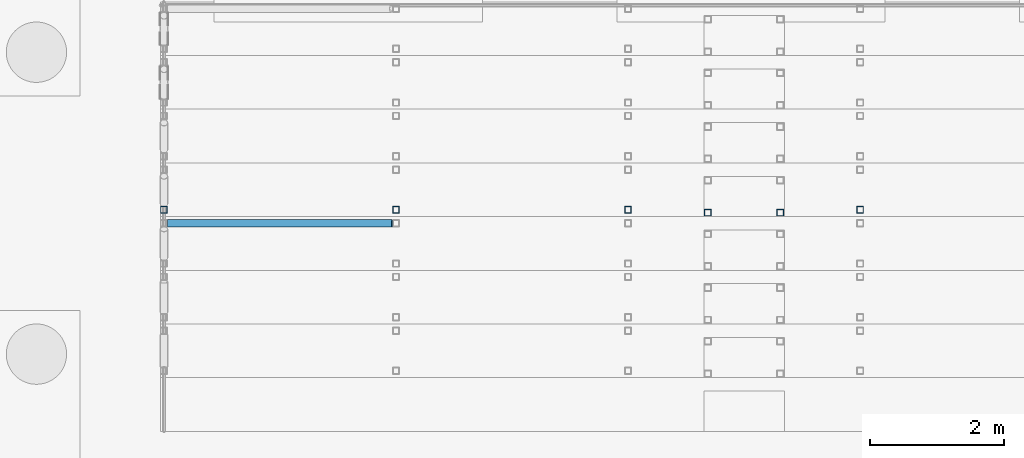
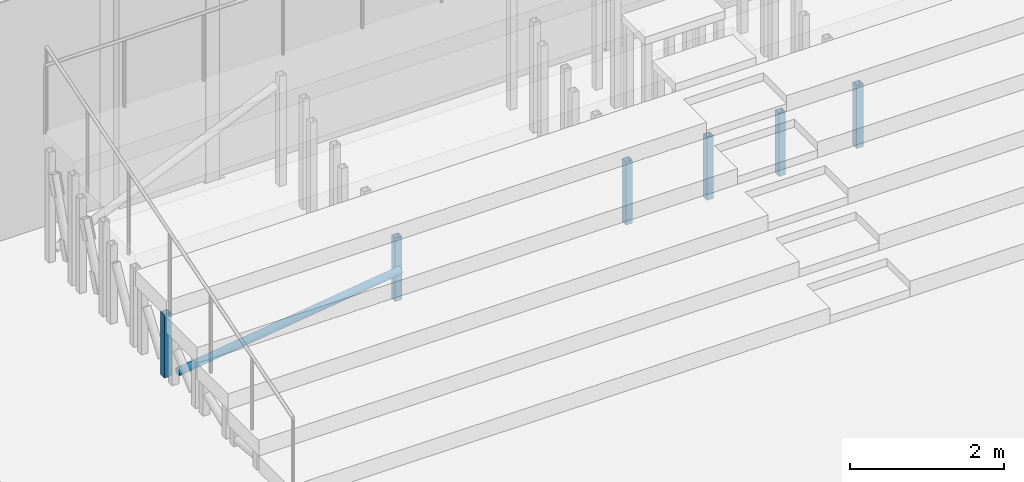
# One storey, part 42 of 139: 7 members.
"""IFC4 building model written with IfcOpenShell, lengths in metres."""

from ifc_helpers import new_model, si_unit, direction, frame, origin, origin_2d, place, context, subcontext, project, spatial, hollow_rectangle, hollow_circle, extrude, material, material_profile, profile_set, type_object, element, save


model = new_model("IFC4")

# Units and contexts
model_context = context("Model", 3, precision=1e-05, world=origin(), true_north=direction((0.0, 1.0)))
body_context = subcontext(model_context, "Body", "Model", "MODEL_VIEW")
ifc_project = project(units=[si_unit("LENGTHUNIT", "METRE"), si_unit("AREAUNIT", "SQUARE_METRE"), si_unit("VOLUMEUNIT", "CUBIC_METRE"), si_unit("PLANEANGLEUNIT", "RADIAN"), si_unit("MASSUNIT", "GRAM", prefix="KILO")], contexts=[model_context])

# Site, building, storey
site_placement = place(None, origin())
site = spatial("IfcSite", under=ifc_project, at=site_placement, CompositionType="ELEMENT")
building_placement = place(site_placement, origin())
building = spatial("IfcBuilding", under=site, at=building_placement, Name="Verrick Yard Athletic Hall", CompositionType="ELEMENT")
storey_placement = place(building_placement, origin())
storey = spatial("IfcBuildingStorey", under=building, at=storey_placement, Name="L00", CompositionType="ELEMENT", Elevation=0.0)

# Members
ifc_material = material(Name="Structural steel HSS Class C 350W (CSA G40.20/G40.21)", Category="steel")
ifc_material_profile_1 = material_profile(ifc_material, hollow_circle(Radius=0.05712890625, WallThickness=0.00634765625, at=origin_2d()), Name="HSS114x6.4")
ifc_profile_set_1 = profile_set([ifc_material_profile_1], Name="Structural steel HSS Class C 350W (CSA G40.20/G40.21)")
member_type_1 = type_object("IfcMemberType", Name="HB roof brace HSS114x6.4", PredefinedType="BRACE", material=ifc_profile_set_1)
member_placement = place(storey_placement, frame((124.9091796875, 96.89990234375, 0.151123046875), z_axis=(0.991140401, 0.0, 0.132818317656), x_axis=(0.0, 1.0, 0.0)))
element("IfcMember", 1, at=member_placement, inside=storey, type_object=member_type_1, Name="HB-BRL-RSA1-a4", PredefinedType="BRACE", context=body_context, shape_type="SweptSolid", body=[
    extrude(hollow_circle(Radius=0.05712890625, WallThickness=0.00634765625, at=origin_2d()), origin(), (0.0, 0.0, 1.0), 3.37109375),
])
ifc_material_profile_2 = material_profile(ifc_material, hollow_rectangle(XDim=0.1015625, YDim=0.1015625, WallThickness=0.00634765625, at=origin_2d()), Name="HSS102x102x6.4")
ifc_profile_set_2 = profile_set([ifc_material_profile_2], Name="Structural steel HSS Class C 350W (CSA G40.20/G40.21)")
member_type_2 = type_object("IfcMemberType", Name="HB seating post HSS102x102x6.4", PredefinedType="POST", material=ifc_profile_set_2)
for number, where, z_axis, x_axis, name in (
    (2, (132.956298828125, 97.06005859375, 0.0), (0.0, 0.0, 1.0), (0.0, 1.0, 0.0), "HB-SP-RSA1-A1S5a"),
    (3, (134.036376953125, 97.06005859375, 0.0), (0.0, 0.0, 1.0), (0.0, 1.0, 0.0), "HB-SP-RSA1-A1S5b"),
    (4, (124.850830078125, 97.10009765625, 0.0), (0.0, 0.0, 1.0), (0.0, 1.0, 0.0), "HB-SP-RSA1-T5f1"),
    (5, (128.30908203125, 97.10009765625, 0.0), (0.0, 0.0, 1.0), (0.0, 1.0, 0.0), "HB-SP-RSA1-T5f2"),
    (6, (131.76708984375, 97.10009765625, 0.0), (0.0, 0.0, 1.0), (0.0, 1.0, 0.0), "HB-SP-RSA1-T5f3"),
    (7, (135.225341796875, 97.10009765625, 0.0), (0.0, 0.0, 1.0), (0.0, 1.0, 0.0), "HB-SP-RSA1-T5f4"),
):
    element("IfcMember", number, at=place(storey_placement, frame(where, z_axis=z_axis, x_axis=x_axis)), inside=storey, type_object=member_type_2, Name=name, PredefinedType="POST", context=body_context, shape_type="SweptSolid", body=[
        extrude(hollow_rectangle(XDim=0.1015625, YDim=0.1015625, WallThickness=0.00634765625, at=origin_2d()), origin(), (0.0, 0.0, 1.0), 1.0),
    ])

save(model, "model.ifc")
